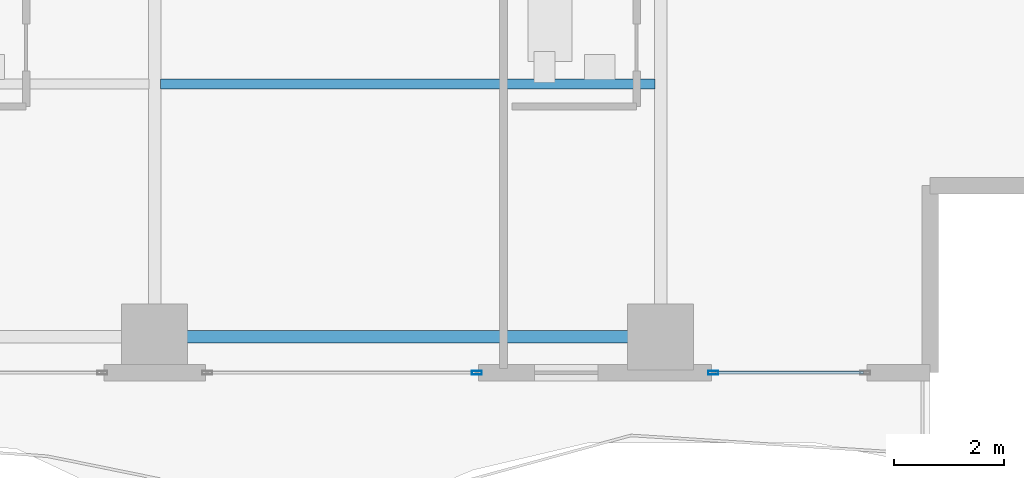
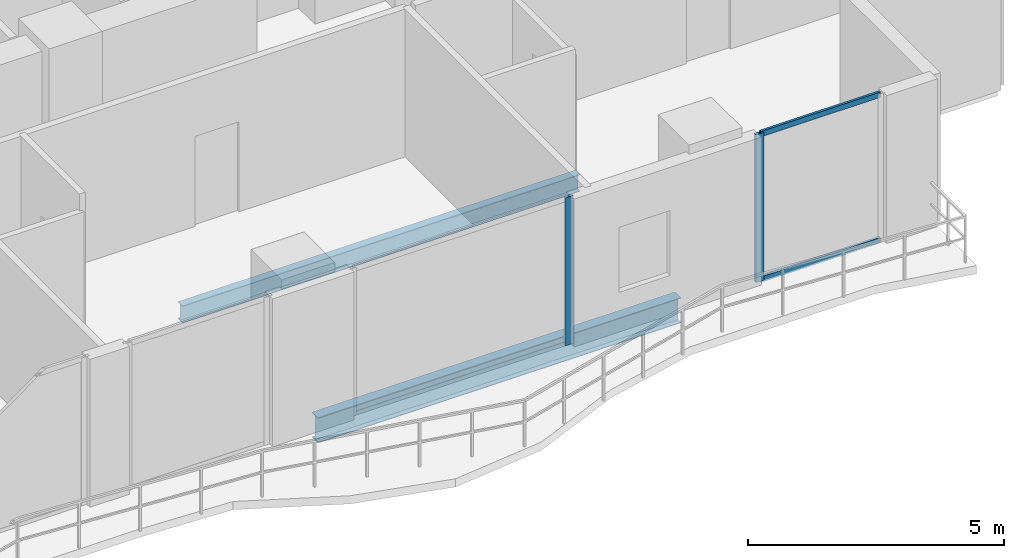
# One storey, part 10 of 32: 4 members, 2 beams, 2 elements without a shape of their own.
"""IFC4 building model written with IfcOpenShell, lengths in metres."""

from ifc_helpers import new_model, si_unit, direction, frame, origin, origin_2d, place, context, subcontext, project, spatial, hollow_rectangle, i_section, extrude, material, layer, layer_set, material_profile, profile_set, type_object, element, aggregate, save


model = new_model("IFC4")

# Units and contexts
model_context = context("Model", 3, precision=1e-05, world=origin(), true_north=direction((0.0, 1.0)))
body_context = subcontext(model_context, "Body", "Model", "MODEL_VIEW")
ifc_project = project(units=[si_unit("LENGTHUNIT", "METRE"), si_unit("AREAUNIT", "SQUARE_METRE"), si_unit("VOLUMEUNIT", "CUBIC_METRE"), si_unit("PLANEANGLEUNIT", "RADIAN"), si_unit("MASSUNIT", "GRAM", prefix="KILO")], contexts=[model_context])

# Site, building, storey
site_placement = place(None, origin())
site = spatial("IfcSite", under=ifc_project, at=site_placement, CompositionType="ELEMENT")
building_placement = place(site_placement, origin())
building = spatial("IfcBuilding", under=site, at=building_placement, Name="Zuhayl Quay Hotel", CompositionType="ELEMENT")
storey_placement = place(building_placement, frame((0.0, 0.0, 218.64990234375)))
storey = spatial("IfcBuildingStorey", under=building, at=storey_placement, Name="L55", CompositionType="ELEMENT", Elevation=218.64990234375)

# Beams
ifc_material_1 = material(Name="Steel ASTM A992 Grade 50", Category="steel")
ifc_material_profile_1 = material_profile(ifc_material_1, i_section(OverallWidth=0.22802734375, OverallDepth=0.60693359375, WebThickness=0.01123046875, FlangeThickness=0.017333984375, at=origin_2d()), Name="W24X76")
ifc_profile_set_1 = profile_set([ifc_material_profile_1], Name="Steel ASTM A992 Grade 50")
beam_type_1 = type_object("IfcBeamType", Name="BM_B3_W24X76", PredefinedType="BEAM", material=ifc_profile_set_1)
beam_1_placement = place(storey_placement, frame((5.10009765625, -6.949951171875, -0.5234375), z_axis=(1.0, 0.0, 0.0), x_axis=(0.0, 1.0, 0.0)))
element("IfcBeam", 1, at=beam_1_placement, inside=storey, type_object=beam_type_1, Name="L55 Floor Beam RG_L55_03", PredefinedType="BEAM", context=body_context, shape_type="SweptSolid", body=[
    extrude(i_section(OverallWidth=0.22802734375, OverallDepth=0.60693359375, WebThickness=0.01123046875, FlangeThickness=0.017333984375, at=origin_2d()), origin(), (0.0, 0.0, 1.0), 8.199951171875),
])
ifc_material_profile_2 = material_profile(ifc_material_1, i_section(OverallWidth=0.177978515625, OverallDepth=0.406005859375, WebThickness=0.0078125, FlangeThickness=0.0126953125, at=origin_2d()), Name="W16X40")
ifc_profile_set_2 = profile_set([ifc_material_profile_2], Name="Steel ASTM A992 Grade 50")
beam_type_2 = type_object("IfcBeamType", Name="BM_J2B_W16X40", PredefinedType="JOIST", material=ifc_profile_set_2)
beam_2_placement = place(storey_placement, frame((4.7060546875, -2.35009765625, -0.4228515625), z_axis=(1.0, 0.0, 0.0), x_axis=(0.0, 1.0, 0.0)))
element("IfcBeam", 2, at=beam_2_placement, inside=storey, type_object=beam_type_2, Name="L55 Floor Beam FJ_L55_7_3", PredefinedType="JOIST", context=body_context, shape_type="SweptSolid", body=[
    extrude(i_section(OverallWidth=0.177978515625, OverallDepth=0.406005859375, WebThickness=0.0078125, FlangeThickness=0.0126953125, at=origin_2d()), origin(), (0.0, 0.0, 1.0), 8.988037109375),
])

# Curtain wall, member
ifc_material_2 = material(Name="Anodised Aluminium 6063-T6", Category="aluminium")
ifc_layer = layer(ifc_material_2, 0.175048828125, Name="Anodised Aluminium 6063-T6", Category="aluminium")
ifc_layer_set = layer_set([ifc_layer], Name="Anodised Aluminium 6063-T6")
curtain_wall_type = type_object("IfcCurtainWallType", Name="CW_SYS_Z3", PredefinedType="USERDEFINED", material=ifc_layer_set)
curtain_wall_1_placement = place(storey_placement, origin())
curtain_wall_1 = element("IfcCurtainWall", 3, at=curtain_wall_1_placement, inside=storey, type_object=curtain_wall_type, Name="L55 Curtain Wall ENV_L55_S_CW1", ObjectType="UNITISED CURTAIN WALL", PredefinedType="USERDEFINED")
ifc_material_3 = material(Name="Black-anodised aluminium 6063-T6", Category="aluminium")
ifc_material_profile_3 = material_profile(ifc_material_3, hollow_rectangle(XDim=0.06494140625, YDim=0.179931640625, WallThickness=0.00341796875, at=origin_2d()), Name="ALU180X65")
ifc_profile_set_3 = profile_set([ifc_material_profile_3], Name="Black-anodised aluminium 6063-T6")
member_type_1 = type_object("IfcMemberType", Name="MB_CW_MUL_180", PredefinedType="MULLION", material=ifc_profile_set_3)
member_1_placement = place(storey_placement, frame((14.75244140625, -7.60009765625, 0.0), z_axis=(0.0, 0.0, 1.0), x_axis=(0.0, -1.0, 0.0)))
member_1 = element("IfcMember", 4, at=member_1_placement, type_object=member_type_1, Name="CW-Z3 mullion 2", PredefinedType="MULLION", context=body_context, shape_type="SweptSolid", body=[
    extrude(hollow_rectangle(XDim=0.06494140625, YDim=0.179931640625, WallThickness=0.00341796875, at=origin_2d()), origin(), (0.0, 0.0, 1.0), 3.530029296875),
])

curtain_wall_2_placement = place(storey_placement, origin())
curtain_wall_2 = element("IfcCurtainWall", 5, at=curtain_wall_2_placement, inside=storey, type_object=curtain_wall_type, Name="L55 Curtain Wall ENV_L55_S_CW2", ObjectType="UNITISED CURTAIN WALL", PredefinedType="USERDEFINED")
member_2_placement = place(storey_placement, frame((10.45751953125, -7.60009765625, 0.0), z_axis=(0.0, 0.0, 1.0), x_axis=(0.0, -1.0, 0.0)))
member_2 = element("IfcMember", 6, at=member_2_placement, type_object=member_type_1, Name="CW-Z3 mullion 1", PredefinedType="MULLION", context=body_context, shape_type="SweptSolid", body=[
    extrude(hollow_rectangle(XDim=0.06494140625, YDim=0.179931640625, WallThickness=0.00341796875, at=origin_2d()), origin(), (0.0, 0.0, 1.0), 3.530029296875),
])
aggregate(curtain_wall_2, [member_2])

# Member
ifc_material_profile_4 = material_profile(ifc_material_3, hollow_rectangle(XDim=0.054931640625, YDim=0.1298828125, WallThickness=0.0029296875, at=origin_2d()), Name="ALU130X55")
ifc_profile_set_4 = profile_set([ifc_material_profile_4], Name="Black-anodised aluminium 6063-T6")
member_type_2 = type_object("IfcMemberType", Name="MB_CW_TRN_130", PredefinedType="USERDEFINED", material=ifc_profile_set_4)
member_3_placement = place(storey_placement, frame((17.485107421875, -7.60009765625, 0.027587890625), z_axis=(-1.0, 0.0, 0.0), x_axis=(0.0, -1.0, 0.0)))
member_3 = element("IfcMember", 7, at=member_3_placement, type_object=member_type_2, Name="CW-Z3 transom 1.1", ObjectType="TRANSOM", PredefinedType="USERDEFINED", context=body_context, shape_type="SweptSolid", body=[
    extrude(hollow_rectangle(XDim=0.054931640625, YDim=0.1298828125, WallThickness=0.0029296875, at=origin_2d()), origin(), (0.0, 0.0, 1.0), 2.7001953125),
])

member_4_placement = place(storey_placement, frame((17.485107421875, -7.60009765625, 3.502685546875), z_axis=(-1.0, 0.0, 0.0), x_axis=(0.0, -1.0, 0.0)))
member_4 = element("IfcMember", 8, at=member_4_placement, type_object=member_type_2, Name="CW-Z3 transom 1.2", ObjectType="TRANSOM", PredefinedType="USERDEFINED", context=body_context, shape_type="SweptSolid", body=[
    extrude(hollow_rectangle(XDim=0.054931640625, YDim=0.1298828125, WallThickness=0.0029296875, at=origin_2d()), origin(), (0.0, 0.0, 1.0), 2.7001953125),
])

aggregate(curtain_wall_1, [member_1, member_3, member_4])

save(model, "model.ifc")
